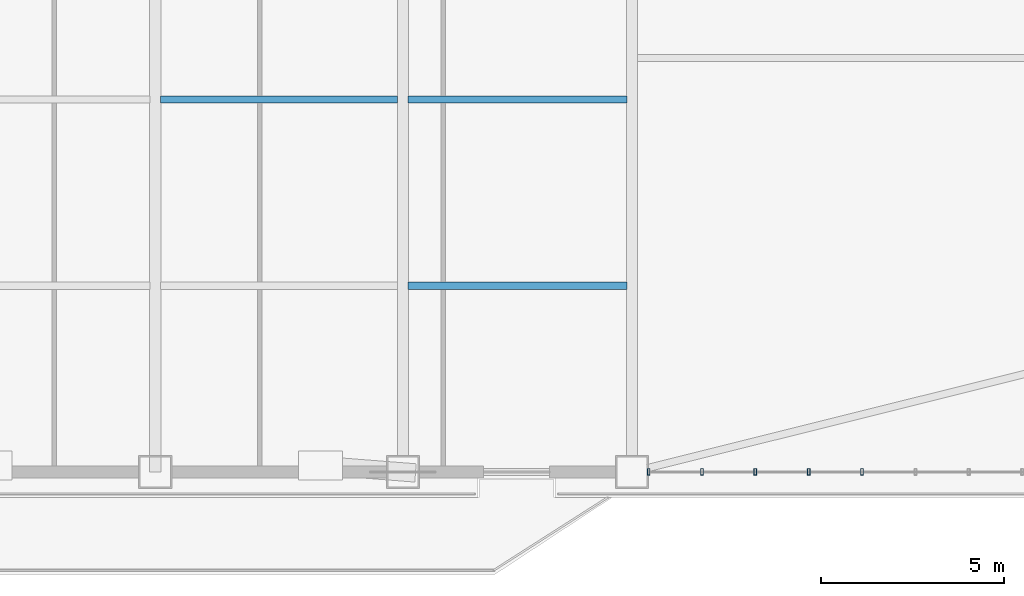
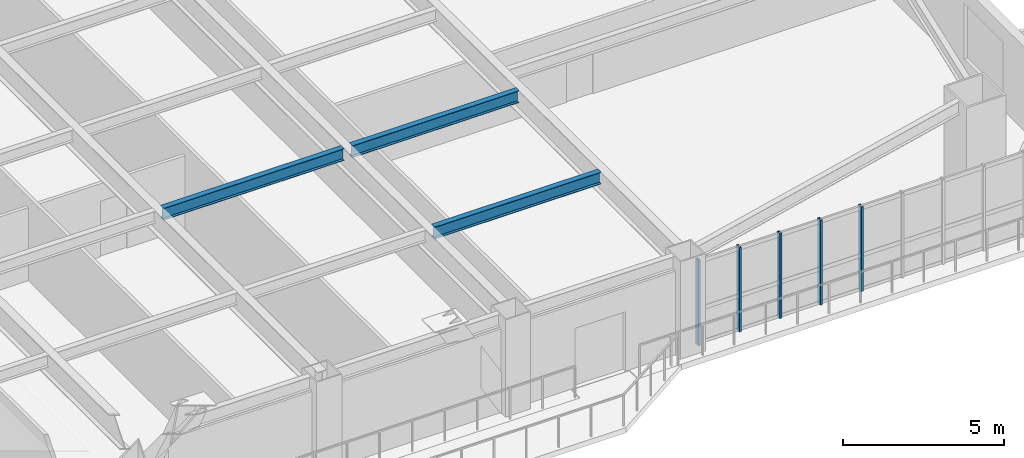
# One storey, part 4 of 15: 5 members, 3 beams, 1 element without a shape of its own.
"""IFC4 building model written with IfcOpenShell, lengths in metres."""

import ifcopenshell
import ifcopenshell.guid

model = None  # the IFC model being written
_history = None  # IfcOwnerHistory: only IFC2X3 demands one
_inside = {}  # id of a spatial element -> (the spatial element, [elements in it])
_under = {}  # id of a project, library or spatial element -> (it, [spatial elements below it])
_declared = {}  # id of a project -> (the project, [libraries it declares])
_typed = {}  # id of a type object -> (the type object, [elements of that type])
_made_of = {}  # id of a material, layer set ... -> (it, [elements and type objects made of it])


def new_model(schema):
    """Start an empty IFC model of exactly this schema.

    Asked for "IFC4X3", IfcOpenShell would pick the latest addendum, in which some entities
    have other attributes; the version numbers below select the first issue.
    IFC2X3 requires an IfcOwnerHistory on every rooted entity: one is made here for all.
    """
    global model, _history
    if schema == "IFC4X3":
        model = ifcopenshell.file(schema_version=(4, 3, 0, 0))
    else:
        model = ifcopenshell.file(schema=schema)
    _inside.clear()
    _under.clear()
    _declared.clear()
    _typed.clear()
    _made_of.clear()
    _history = None
    if model.schema == "IFC2X3":
        org = make("IfcOrganization", Name="unknown")
        user = make(
            "IfcPersonAndOrganization",
            ThePerson=make("IfcPerson", FamilyName="unknown"),
            TheOrganization=org,
        )
        app = make(
            "IfcApplication",
            ApplicationDeveloper=org,
            Version="unknown",
            ApplicationFullName="unknown",
            ApplicationIdentifier="unknown",
        )
        _history = make(
            "IfcOwnerHistory",
            OwningUser=user,
            OwningApplication=app,
            ChangeAction="ADDED",
            CreationDate=0,
        )
    return model


def make(cls, **values):
    """One entity of the class cls with the attributes given. An attribute that is None is left unset."""
    return model.create_entity(
        cls, **{name: value for name, value in values.items() if value is not None}
    )


def rooted(cls, **values):
    """An entity with a GlobalId (a new one), such as an element, a storey or a relation."""
    return make(cls, GlobalId=ifcopenshell.guid.new(), OwnerHistory=_history, **values)


def si_unit(unit_type, name, prefix=None):
    """IfcSIUnit, for example si_unit("LENGTHUNIT", "METRE", prefix="MILLI")."""
    return make("IfcSIUnit", UnitType=unit_type, Prefix=prefix, Name=name)


def assignment(units):
    """IfcUnitAssignment: the units of a project."""
    return None if units is None else make("IfcUnitAssignment", Units=units)


def point(xyz):
    """IfcCartesianPoint."""
    return None if xyz is None else make("IfcCartesianPoint", Coordinates=xyz)


def direction(xyz):
    """IfcDirection."""
    return None if xyz is None else make("IfcDirection", DirectionRatios=xyz)


def frame(location, z_axis=None, x_axis=None):
    """IfcAxis2Placement3D, a coordinate frame: its origin and axes. An axis left out is left unset."""
    return make(
        "IfcAxis2Placement3D",
        Location=point(location),
        Axis=direction(z_axis),
        RefDirection=direction(x_axis),
    )


def frame_2d(location, x_axis=None):
    """IfcAxis2Placement2D, a coordinate frame in the plane: its origin and x axis."""
    return make(
        "IfcAxis2Placement2D", Location=point(location), RefDirection=direction(x_axis)
    )


def origin():
    """The frame at (0, 0, 0) with its axes left unset."""
    return frame((0.0, 0.0, 0.0))


def origin_2d():
    """The frame at (0, 0) in the plane with its x axis left unset."""
    return frame_2d((0.0, 0.0))


def place(relative_to, where):
    """IfcLocalPlacement: puts the frame where relative to a parent placement (None: the world)."""
    return make(
        "IfcLocalPlacement", PlacementRelTo=relative_to, RelativePlacement=where
    )


def context(
    kind, dimensions, precision=None, world=None, true_north=None, identifier=None
):
    """IfcGeometricRepresentationContext, for example the 3D "Model" context."""
    return make(
        "IfcGeometricRepresentationContext",
        ContextIdentifier=identifier,
        ContextType=kind,
        CoordinateSpaceDimension=dimensions,
        Precision=precision,
        WorldCoordinateSystem=world,
        TrueNorth=true_north,
    )


def subcontext(parent, identifier, kind, view, scale=None):
    """IfcGeometricRepresentationSubContext, for example "Body" below "Model"."""
    return make(
        "IfcGeometricRepresentationSubContext",
        ContextIdentifier=identifier,
        ContextType=kind,
        ParentContext=parent,
        TargetScale=scale,
        TargetView=view,
    )


def project(units=None, contexts=None):
    """IfcProject with its units and contexts."""
    return rooted(
        "IfcProject",
        Name="project",
        RepresentationContexts=contexts,
        UnitsInContext=assignment(units),
    )


def spatial(cls, under=None, at=None, **own):
    """A site, building, storey or space (cls), placed at a placement, below another one or the project."""
    s = rooted(cls, ObjectPlacement=at, **own)
    if under is not None:
        _under.setdefault(under.id(), (under, []))[1].append(s)
    return s


def profile(cls, at=None, kind="AREA", **sizes):
    """A parametric profile (cls). Its sizes go by their IFC names, for example OverallWidth=200.0."""
    return make(cls, ProfileType=kind, Position=at, **sizes)


def hollow_rectangle(**sizes):
    """IfcRectangleHollowProfileDef."""
    return profile("IfcRectangleHollowProfileDef", **sizes)


def i_section(**sizes):
    """IfcIShapeProfileDef."""
    return profile("IfcIShapeProfileDef", **sizes)


def extrude(swept, where, along, depth):
    """IfcExtrudedAreaSolid: the profile swept, set in the frame where, extruded along a direction by depth."""
    return make(
        "IfcExtrudedAreaSolid",
        SweptArea=swept,
        Position=where,
        ExtrudedDirection=direction(along),
        Depth=depth,
    )


def shape(context_of_items, identifier, shape_type, items):
    """IfcShapeRepresentation: the items that make up one representation, for example the "Body"."""
    return make(
        "IfcShapeRepresentation",
        ContextOfItems=context_of_items,
        RepresentationIdentifier=identifier,
        RepresentationType=shape_type,
        Items=items,
    )


def source(mapping_origin, context_of_items, identifier, shape_type, items):
    """IfcRepresentationMap: a shape defined once, which mapped items show again and again."""
    return make(
        "IfcRepresentationMap",
        MappingOrigin=mapping_origin,
        MappedRepresentation=shape(context_of_items, identifier, shape_type, items),
    )


def transform(
    local_origin,
    x_axis=None,
    y_axis=None,
    z_axis=None,
    scale=None,
    scale2=None,
    scale3=None,
    uniform=True,
):
    """IfcCartesianTransformationOperator3D, or its non-uniform kind. x_axis, y_axis, z_axis: its Axis1, 2, 3."""
    if uniform:
        return make(
            "IfcCartesianTransformationOperator3D",
            Axis1=direction(x_axis),
            Axis2=direction(y_axis),
            LocalOrigin=point(local_origin),
            Scale=scale,
            Axis3=direction(z_axis),
        )
    return make(
        "IfcCartesianTransformationOperator3DnonUniform",
        Axis1=direction(x_axis),
        Axis2=direction(y_axis),
        LocalOrigin=point(local_origin),
        Scale=scale,
        Axis3=direction(z_axis),
        Scale2=scale2,
        Scale3=scale3,
    )


def mapped(mapping_source, mapping_target):
    """IfcMappedItem: shows the shape of a source again, moved by a transform."""
    return make(
        "IfcMappedItem", MappingSource=mapping_source, MappingTarget=mapping_target
    )


def material(Name=None, Category=None):
    """IfcMaterial."""
    return make("IfcMaterial", Name=Name, Category=Category)


def layer(
    of_material, thickness, ventilated=None, Name=None, Category=None, Priority=None
):
    """IfcMaterialLayer: one layer of a wall or slab, of a material (None: an air gap)."""
    return make(
        "IfcMaterialLayer",
        Material=of_material,
        LayerThickness=thickness,
        IsVentilated=ventilated,
        Name=Name,
        Category=Category,
        Priority=Priority,
    )


def layer_set(layers, Name=None):
    """IfcMaterialLayerSet."""
    return make("IfcMaterialLayerSet", MaterialLayers=layers, LayerSetName=Name)


def material_profile(
    of_material, cross_section, Name=None, Category=None, Priority=None
):
    """IfcMaterialProfile: a cross section and its material."""
    return make(
        "IfcMaterialProfile",
        Name=Name,
        Material=of_material,
        Profile=cross_section,
        Priority=Priority,
        Category=Category,
    )


def profile_set(profiles, Name=None, composite=None):
    """IfcMaterialProfileSet."""
    return make(
        "IfcMaterialProfileSet",
        Name=Name,
        MaterialProfiles=profiles,
        CompositeProfile=composite,
    )


def made_of(thing, what):
    """Note that an element or type object is made of a material, layer set ...; save() writes the relation."""
    if what is not None:
        _made_of.setdefault(what.id(), (what, []))[1].append(thing)
    return thing


def type_object(cls, material=None, **own):
    """A type object (cls), such as IfcWallType, which elements share."""
    return made_of(rooted(cls, **own), material)


def element(
    cls,
    number,
    at=None,
    inside=None,
    cuts=None,
    type_object=None,
    material=None,
    context=None,
    identifier="Body",
    shape_type=None,
    held_by="IfcProductDefinitionShape",
    body=None,
    shapes=None,
    **own,
):
    """One element of the class cls, such as IfcWall. Its Tag is "e" and its number.

    at: its placement. inside: the storey or other place that contains it. cuts: it is an
    opening in that element (IfcRelVoidsElement). A single representation is given by context,
    identifier, shape_type and body (its items); several are given by shapes. held_by: the class
    of the entity that holds the representations. save() writes the other relations.
    """
    e = rooted(cls, Tag="e%d" % number, ObjectPlacement=at, **own)
    if body is not None:
        shapes = [shape(context, identifier, shape_type, body)]
    if shapes is not None:
        e.Representation = make(held_by, Representations=shapes)
    if inside is not None:
        _inside.setdefault(inside.id(), (inside, []))[1].append(e)
    if cuts is not None:
        rooted(
            "IfcRelVoidsElement", RelatingBuildingElement=cuts, RelatedOpeningElement=e
        )
    if type_object is not None:
        _typed.setdefault(type_object.id(), (type_object, []))[1].append(e)
    return made_of(e, material)


def aggregate(whole, parts):
    """IfcRelAggregates: a whole, such as a stair, and the parts it consists of."""
    return rooted("IfcRelAggregates", RelatingObject=whole, RelatedObjects=parts)


def save(model, path):
    """Write the relations noted so far, then the file.

    IfcRelAggregates (storeys below a building ...), IfcRelContainedInSpatialStructure (elements
    in a storey), IfcRelDefinesByType, IfcRelAssociatesMaterial and IfcRelDeclares: one each for
    every whole, place, type object, material and project.
    """
    for whole, parts in _under.values():
        aggregate(whole, parts)
    for where, things in _inside.values():
        rooted(
            "IfcRelContainedInSpatialStructure",
            RelatedElements=things,
            RelatingStructure=where,
        )
    for kind, things in _typed.values():
        rooted("IfcRelDefinesByType", RelatedObjects=things, RelatingType=kind)
    for what, things in _made_of.values():
        rooted("IfcRelAssociatesMaterial", RelatedObjects=things, RelatingMaterial=what)
    for by, libraries in _declared.values():
        rooted("IfcRelDeclares", RelatingContext=by, RelatedDefinitions=libraries)
    model.write(path)


model = new_model("IFC4")

# Units and contexts
model_context = context("Model", 3, precision=1e-05, world=origin(), true_north=direction((0.0, 1.0)))
body_context = subcontext(model_context, "Body", "Model", "MODEL_VIEW")
ifc_project = project(units=[si_unit("LENGTHUNIT", "METRE"), si_unit("AREAUNIT", "SQUARE_METRE"), si_unit("VOLUMEUNIT", "CUBIC_METRE"), si_unit("PLANEANGLEUNIT", "RADIAN"), si_unit("MASSUNIT", "GRAM", prefix="KILO")], contexts=[model_context])

# Site, building, storey
site_placement = place(None, origin())
site = spatial("IfcSite", under=ifc_project, at=site_placement, CompositionType="ELEMENT")
building_placement = place(site_placement, origin())
building = spatial("IfcBuilding", under=site, at=building_placement, Name="Giltprow Tower", CompositionType="ELEMENT")
storey_placement = place(building_placement, frame((0.0, 0.0, 111.39990234375)))
storey = spatial("IfcBuildingStorey", under=building, at=storey_placement, Name="L27", CompositionType="ELEMENT", Elevation=111.39990234375)

# Beams
ifc_material_1 = material(Name="Structural steel Q355B", Category="steel")
ifc_material_profile_1 = material_profile(ifc_material_1, i_section(OverallWidth=0.199951171875, OverallDepth=0.449951171875, WebThickness=0.009033203125, FlangeThickness=0.013916015625, at=origin_2d()), Name="HN 450x200x9x14")
ifc_profile_set_1 = profile_set([ifc_material_profile_1], Name="Structural steel Q355B")
beam_type = type_object("IfcBeamType", Name="BM-JOIST-HN450", PredefinedType="JOIST", material=ifc_profile_set_1)
shared_shape_1 = source(origin(), body_context, "Body", "SweptSolid", [
    extrude(i_section(OverallWidth=0.199951171875, OverallDepth=0.449951171875, WebThickness=0.009033203125, FlangeThickness=0.013916015625, at=origin_2d()), origin(), (0.0, 0.0, 1.0), 6.4599609375),
])
beam_placement = place(storey_placement, frame((37.695068359375, 17.14306640625, 3.455078125), z_axis=(1.0, 0.0, 0.0), x_axis=(0.0, 1.0, 0.0)))
element("IfcBeam", 1, at=beam_placement, inside=storey, type_object=beam_type, Name="L27 Composite Floor Joist 2-3", PredefinedType="JOIST", context=body_context, shape_type="MappedRepresentation", body=[
    mapped(shared_shape_1, transform((0.0, 0.0, 0.0), x_axis=(1.0, 0.0, 0.0), y_axis=(0.0, 1.0, 0.0), z_axis=(0.0, 0.0, 1.0), scale=1.0)),
])
shared_shape_2 = source(origin(), body_context, "Body", "SweptSolid", [
    extrude(i_section(OverallWidth=0.199951171875, OverallDepth=0.449951171875, WebThickness=0.009033203125, FlangeThickness=0.013916015625, at=origin_2d()), origin(), (0.0, 0.0, 1.0), 5.9599609375),
])
for number, where, z_axis, x_axis, name in (
    (2, (44.445068359375, 12.06689453125, 3.455078125), (1.0, 0.0, 0.0), (0.0, 1.0, 0.0), "L27 Composite Floor Joist 1-4"),
    (3, (44.445068359375, 17.14306640625, 3.455078125), (1.0, 0.0, 0.0), (0.0, 1.0, 0.0), "L27 Composite Floor Joist 2-4"),
):
    element("IfcBeam", number, at=place(storey_placement, frame(where, z_axis=z_axis, x_axis=x_axis)), inside=storey, type_object=beam_type, Name=name, PredefinedType="JOIST", context=body_context, shape_type="MappedRepresentation", body=[
        mapped(shared_shape_2, transform((0.0, 0.0, 0.0), x_axis=(1.0, 0.0, 0.0), y_axis=(0.0, 1.0, 0.0), z_axis=(0.0, 0.0, 1.0), scale=1.0)),
    ])

# Curtain wall, members
ifc_material_2 = material(Name="Anodized bronze", Category="metal")
ifc_layer = layer(ifc_material_2, 0.179931640625, Name="Anodized bronze")
ifc_layer_set = layer_set([ifc_layer], Name="Anodized bronze")
curtain_wall_type = type_object("IfcCurtainWallType", Name="CW-OFF-RECESSED", PredefinedType="NOTDEFINED", material=ifc_layer_set)
curtain_wall_placement = place(storey_placement, origin())
curtain_wall = element("IfcCurtainWall", 4, at=curtain_wall_placement, inside=storey, type_object=curtain_wall_type, Name="L27 South Recessed Curtain Wall 6", PredefinedType="NOTDEFINED")
ifc_material_profile_2 = material_profile(ifc_material_2, hollow_rectangle(XDim=0.074951171875, YDim=0.179931640625, WallThickness=0.008056640625, at=origin_2d()), Name="RHS 180x75x8")
ifc_profile_set_2 = profile_set([ifc_material_profile_2], Name="Anodized bronze")
member_type = type_object("IfcMemberType", Name="CW-MULLION-180x75", PredefinedType="MULLION", material=ifc_profile_set_2)
shared_shape_3 = source(origin(), body_context, "Body", "SweptSolid", [
    extrude(hollow_rectangle(XDim=0.074951171875, YDim=0.179931640625, WallThickness=0.008056640625, at=origin_2d()), origin(), (0.0, 0.0, 1.0), 3.215087890625),
])
member_1_placement = place(storey_placement, frame((51.0, 6.989990234375, -0.02001953125), z_axis=(0.0, 0.0, 1.0), x_axis=(1.0, 0.0, 0.0)))
member_1 = element("IfcMember", 5, at=member_1_placement, type_object=member_type, Name="L27 South Recessed Curtain Wall 6 Mullion 1", PredefinedType="MULLION", context=body_context, shape_type="MappedRepresentation", body=[
    mapped(shared_shape_3, transform((0.0, 0.0, 0.0), x_axis=(1.0, 0.0, 0.0), y_axis=(0.0, 1.0, 0.0), z_axis=(0.0, 0.0, 1.0), scale=1.0)),
])
member_2_placement = place(storey_placement, frame((52.455078125, 6.989990234375, -0.02001953125), z_axis=(0.0, 0.0, 1.0), x_axis=(1.0, 0.0, 0.0)))
member_2 = element("IfcMember", 6, at=member_2_placement, type_object=member_type, Name="L27 South Recessed Curtain Wall 6 Mullion 2", PredefinedType="MULLION", context=body_context, shape_type="MappedRepresentation", body=[
    mapped(shared_shape_3, transform((0.0, 0.0, 0.0), x_axis=(1.0, 0.0, 0.0), y_axis=(0.0, 1.0, 0.0), z_axis=(0.0, 0.0, 1.0), scale=1.0)),
])
member_3_placement = place(storey_placement, frame((53.909912109375, 6.989990234375, -0.02001953125), z_axis=(0.0, 0.0, 1.0), x_axis=(1.0, 0.0, 0.0)))
member_3 = element("IfcMember", 7, at=member_3_placement, type_object=member_type, Name="L27 South Recessed Curtain Wall 6 Mullion 3", PredefinedType="MULLION", context=body_context, shape_type="MappedRepresentation", body=[
    mapped(shared_shape_3, transform((0.0, 0.0, 0.0), x_axis=(1.0, 0.0, 0.0), y_axis=(0.0, 1.0, 0.0), z_axis=(0.0, 0.0, 1.0), scale=1.0)),
])
member_4_placement = place(storey_placement, frame((55.364990234375, 6.989990234375, -0.02001953125), z_axis=(0.0, 0.0, 1.0), x_axis=(1.0, 0.0, 0.0)))
member_4 = element("IfcMember", 8, at=member_4_placement, type_object=member_type, Name="L27 South Recessed Curtain Wall 6 Mullion 4", PredefinedType="MULLION", context=body_context, shape_type="MappedRepresentation", body=[
    mapped(shared_shape_3, transform((0.0, 0.0, 0.0), x_axis=(1.0, 0.0, 0.0), y_axis=(0.0, 1.0, 0.0), z_axis=(0.0, 0.0, 1.0), scale=1.0)),
])
member_5_placement = place(storey_placement, frame((56.820068359375, 6.989990234375, -0.02001953125), z_axis=(0.0, 0.0, 1.0), x_axis=(1.0, 0.0, 0.0)))
member_5 = element("IfcMember", 9, at=member_5_placement, type_object=member_type, Name="L27 South Recessed Curtain Wall 6 Mullion 5", PredefinedType="MULLION", context=body_context, shape_type="MappedRepresentation", body=[
    mapped(shared_shape_3, transform((0.0, 0.0, 0.0), x_axis=(1.0, 0.0, 0.0), y_axis=(0.0, 1.0, 0.0), z_axis=(0.0, 0.0, 1.0), scale=1.0)),
])
aggregate(curtain_wall, [member_1, member_2, member_3, member_4, member_5])

save(model, "model.ifc")
